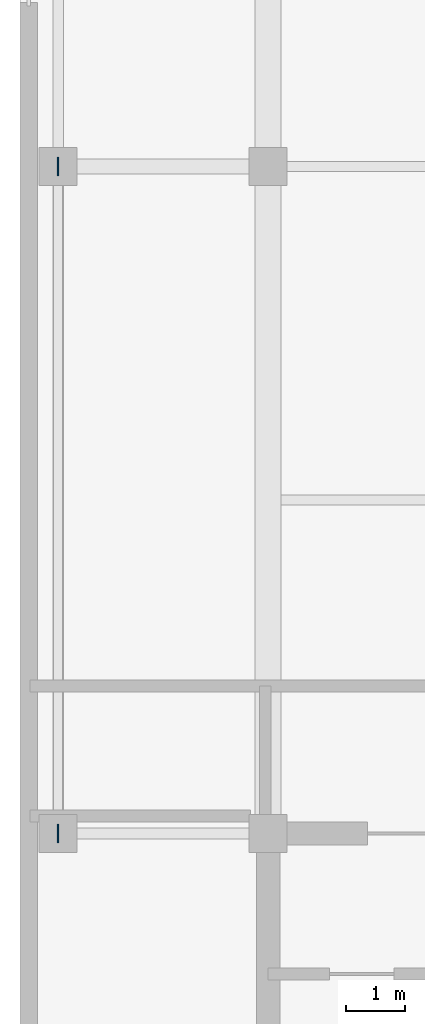
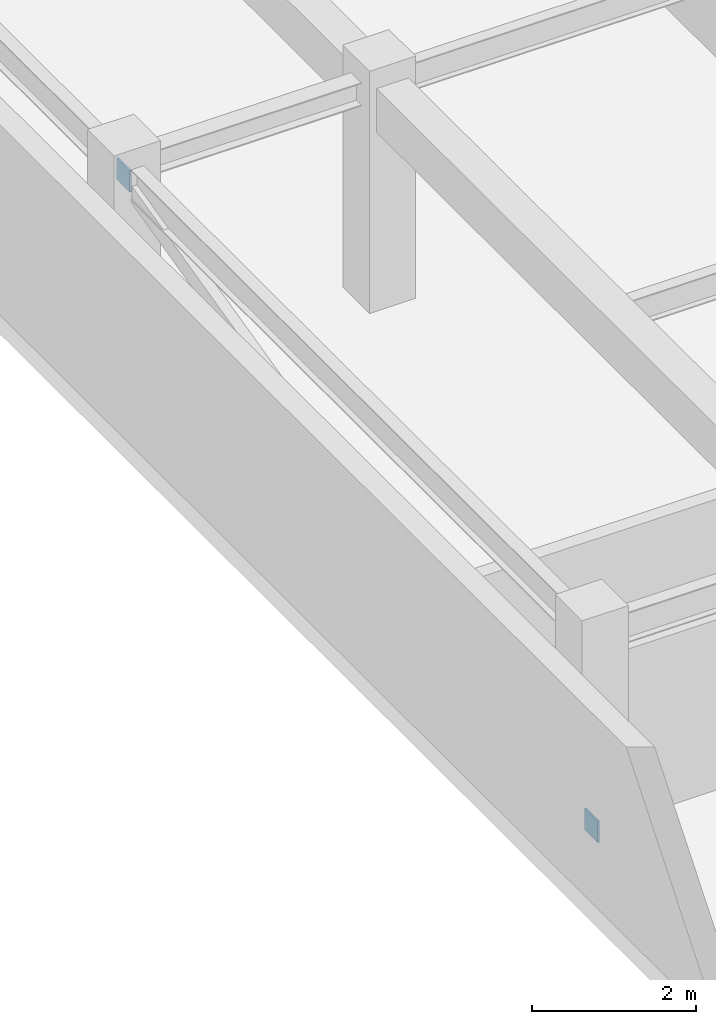
# One storey, part 7 of 9: 2 discrete accessories.
"""IFC4 building model written with IfcOpenShell, lengths in metres."""

from ifc_helpers import new_model, si_unit, direction, frame, origin, origin_2d, place, context, subcontext, project, spatial, rectangle, extrude, material, layer, layer_set, type_object, element, save


model = new_model("IFC4")

# Units and contexts
model_context = context("Model", 3, precision=1e-05, world=origin(), true_north=direction((0.0, 1.0)))
body_context = subcontext(model_context, "Body", "Model", "MODEL_VIEW")
ifc_project = project(units=[si_unit("LENGTHUNIT", "METRE"), si_unit("AREAUNIT", "SQUARE_METRE"), si_unit("VOLUMEUNIT", "CUBIC_METRE"), si_unit("PLANEANGLEUNIT", "RADIAN"), si_unit("MASSUNIT", "GRAM", prefix="KILO")], contexts=[model_context])

# Site, building, storey
site_placement = place(None, origin())
site = spatial("IfcSite", under=ifc_project, at=site_placement, CompositionType="ELEMENT")
building_placement = place(site_placement, origin())
building = spatial("IfcBuilding", under=site, at=building_placement, Name="Svetorya Sky Lyceum", CompositionType="ELEMENT")
storey_placement = place(building_placement, frame((0.0, 0.0, 320.0)))
storey = spatial("IfcBuildingStorey", under=building, at=storey_placement, Name="C06", CompositionType="ELEMENT", Elevation=320.0)

# Discrete accessories
ifc_material = material(Name="Steel S355", Category="steel")
ifc_layer = layer(ifc_material, 0.02392578125)
ifc_layer_set = layer_set([ifc_layer], Name="Steel S355")
discrete_accessory_type = type_object("IfcDiscreteAccessoryType", Name="ACC-GUSSET-24", PredefinedType="BRACKET", material=ifc_layer_set)
for number, where, z_axis, x_axis, name in (
    (1, (22.010009765625, 16.800048828125, 0.08984375), (0.0, 0.0, 1.0), (1.0, 0.0, 0.0), "C06 Brace Node Gusset Plate 213"),
    (2, (22.010009765625, 28.199951171875, 2.85009765625), (0.0, 0.0, 1.0), (1.0, 0.0, 0.0), "C06 Brace Node Gusset Plate 214"),
):
    element("IfcDiscreteAccessory", number, at=place(storey_placement, frame(where, z_axis=z_axis, x_axis=x_axis)), inside=storey, type_object=discrete_accessory_type, Name=name, PredefinedType="BRACKET", context=body_context, shape_type="SweptSolid", body=[
        extrude(rectangle(XDim=0.02392578125, YDim=0.320068359375, at=origin_2d()), origin(), (0.0, 0.0, 1.0), 0.320068359375),
    ])

save(model, "model.ifc")
